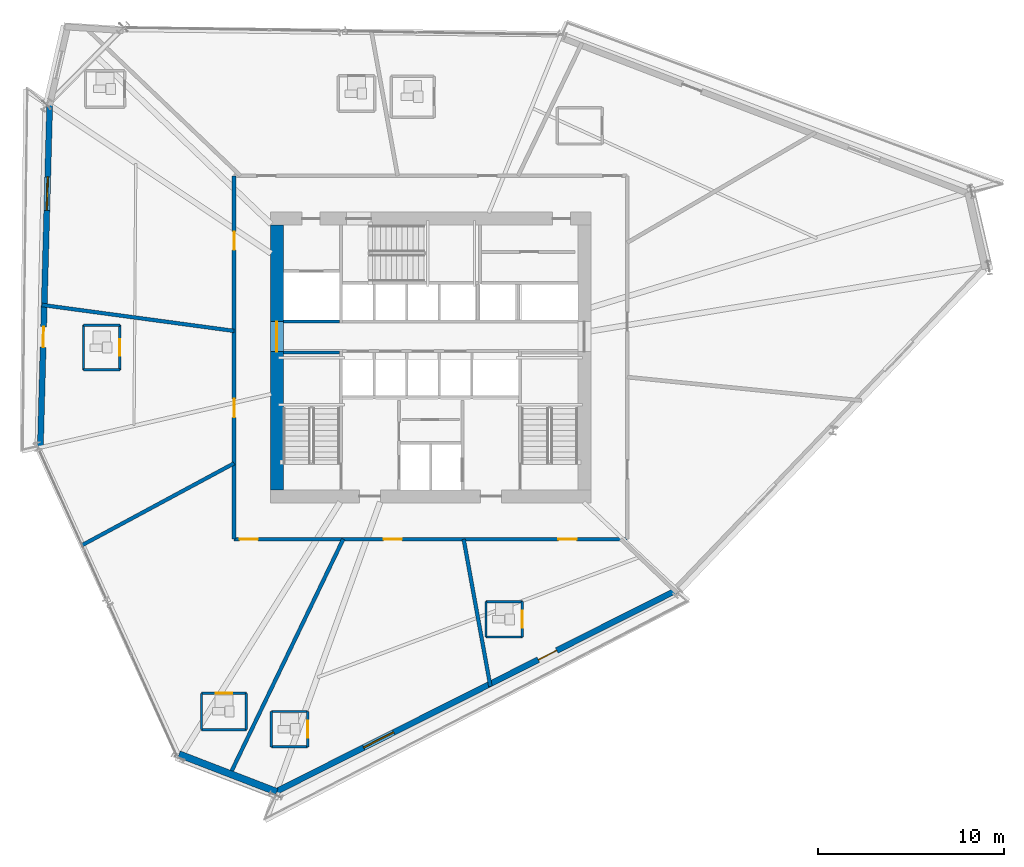
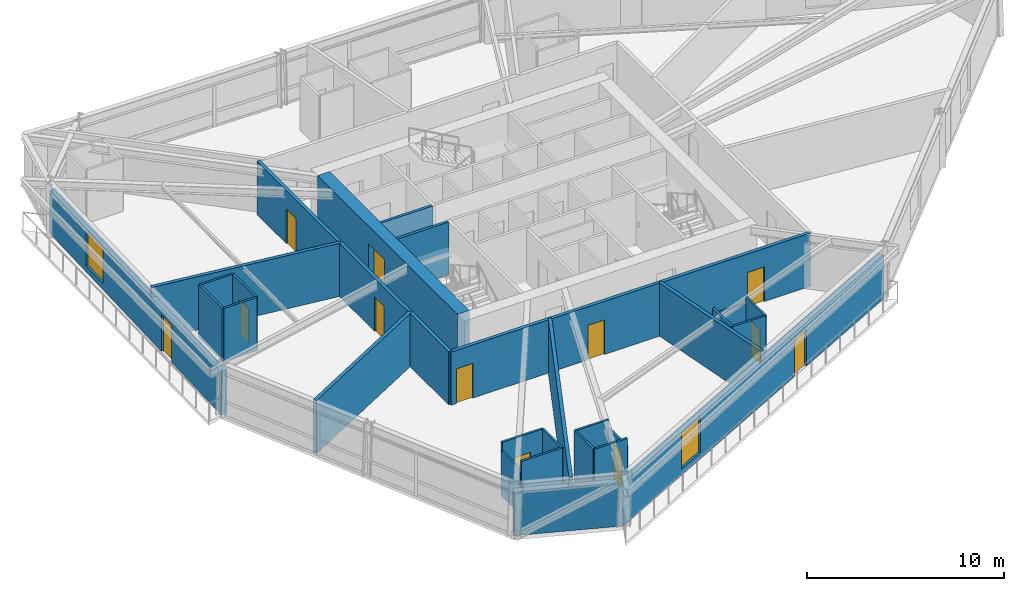
# One storey, part 14 of 22: 28 walls, 12 doors, 2 windows, 14 openings.
"""IFC4 building model written with IfcOpenShell, lengths in metres."""

from ifc_helpers import new_model, si_unit, direction, frame, frame_2d, origin, place, context, subcontext, project, spatial, rectangle, extrude, source, transform, mapped, material, layer, layer_set, type_object, type_shapes, element, fill, save


model = new_model("IFC4")

# Units and contexts
model_context = context("Model", 3, precision=1e-05, world=origin(), true_north=direction((0.0, 1.0)))
body_context = subcontext(model_context, "Body", "Model", "MODEL_VIEW")
ifc_project = project(units=[si_unit("LENGTHUNIT", "METRE"), si_unit("AREAUNIT", "SQUARE_METRE"), si_unit("VOLUMEUNIT", "CUBIC_METRE"), si_unit("PLANEANGLEUNIT", "RADIAN"), si_unit("MASSUNIT", "GRAM", prefix="KILO")], contexts=[model_context])

# Site, building, storey
site_placement = place(None, origin())
site = spatial("IfcSite", under=ifc_project, at=site_placement, CompositionType="ELEMENT")
building_placement = place(site_placement, origin())
building = spatial("IfcBuilding", under=site, at=building_placement, Name="Olszyna Solenne Hotel", CompositionType="ELEMENT")
storey_placement = place(building_placement, frame((0.0, 0.0, 87.949951171875)))
storey = spatial("IfcBuildingStorey", under=building, at=storey_placement, Name="L22", CompositionType="ELEMENT", Elevation=87.949951171875)

# Wall, opening, door
ifc_material_1 = material(Name="Concrete C60/75", Category="concrete")
ifc_layer_1 = layer(ifc_material_1, 0.699951171875, Name="Concrete C60/75")
ifc_layer_set_1 = layer_set([ifc_layer_1], Name="Concrete C60/75")
wall_type_1 = type_object("IfcWallType", Name="WL-CR700", PredefinedType="SHEAR", material=ifc_layer_set_1)
wall_1_placement = place(storey_placement, frame((29.75, 19.5, 0.0), z_axis=(0.0, 0.0, 1.0), x_axis=(0.0, 1.0, 0.0)))
wall_1 = element("IfcWall", 1, at=wall_1_placement, inside=storey, type_object=wall_type_1, Name="Core shear wall WL-CR700 CRW-L22-W", PredefinedType="SHEAR", context=body_context, shape_type="SweptSolid", body=[
    extrude(rectangle(XDim=14.199951171875, YDim=0.699951171875, at=frame_2d((7.10009765625, 0.0))), origin(), (0.0, 0.0, 1.0), 3.300048828125),
])
opening_1_placement = place(wall_1_placement, frame((7.419921875, 0.0, 0.0)))
opening_1 = element("IfcOpeningElement", 2, at=opening_1_placement, cuts=wall_1, Name="Opening LHD-L22-W", PredefinedType="OPENING", context=body_context, shape_type="SweptSolid", body=[
    extrude(rectangle(XDim=1.60009765625, YDim=2.199951171875, at=frame_2d((0.800048828125, 1.10009765625))), frame((0.0, 0.35986328125, 0.0), z_axis=(0.0, -1.0, 0.0), x_axis=(1.0, 0.0, 0.0)), (0.0, 0.0, 1.0), 0.719970703125),
])
ifc_material_2 = material(Name="Timber hardwood", Category="wood")
door_type_1 = type_object("IfcDoorType", Name="DR-CR1", OperationType="DOUBLE_DOOR_SINGLE_SWING", PredefinedType="DOOR", material=ifc_material_2)
shared_shape_1 = source(origin(), body_context, "Body", "SweptSolid", [
    extrude(rectangle(XDim=1.60009765625, YDim=2.199951171875, at=frame_2d((0.800048828125, 1.10009765625))), frame((0.0, 0.02490234375, 0.0), z_axis=(0.0, -1.0, 0.0), x_axis=(1.0, 0.0, 0.0)), (0.0, 0.0, 1.0), 0.050048828125),
])
type_shapes(door_type_1, [shared_shape_1])
door_1_placement = place(opening_1_placement, origin())
door_1 = element("IfcDoor", 3, at=door_1_placement, inside=storey, type_object=door_type_1, Name="Passenger lift lobby West fire door LHD-L22-W", OperationType="DOUBLE_DOOR_SINGLE_SWING", OverallHeight=2.199951171875, OverallWidth=1.60009765625, PredefinedType="DOOR", context=body_context, shape_type="MappedRepresentation", body=[
    mapped(shared_shape_1, transform((0.0, 0.0, 0.0), x_axis=(1.0, 0.0, 0.0), y_axis=(0.0, 1.0, 0.0), z_axis=(0.0, 0.0, 1.0), scale=1.0)),
])
fill(opening_1, door_1)

# Wall, openings, door, window
ifc_material_3 = material(Name="Precast concrete C45/55", Category="concrete")
ifc_layer_2 = layer(ifc_material_3, 0.320068359375, Name="Precast concrete C45/55")
ifc_layer_set_2 = layer_set([ifc_layer_2], Name="Precast concrete C45/55")
wall_type_2 = type_object("IfcWallType", Name="WL-EX320", PredefinedType="SOLIDWALL", material=ifc_layer_set_2)
wall_2_placement = place(storey_placement, frame((51.177490234375, 14.101318359375, 0.0), z_axis=(0.0, 0.0, 1.0), x_axis=(-0.893442427341, -0.449177725436, 0.0)))
wall_2 = element("IfcWall", 4, at=wall_2_placement, inside=storey, type_object=wall_type_2, Name="Exterior terracotta-precast frame wall WL-EX320 EW-L22-01", PredefinedType="SOLIDWALL", context=body_context, shape_type="SweptSolid", body=[
    extrude(rectangle(XDim=24.150634765625, YDim=0.320068359375, at=frame_2d((12.0751953125, 0.0))), origin(), (0.0, 0.0, 1.0), 2.692138671875),
])
opening_2_placement = place(wall_2_placement, frame((7.177978515625, 0.0, 0.0)))
opening_2 = element("IfcOpeningElement", 5, at=opening_2_placement, cuts=wall_2, Name="Opening LDG-L22-3", PredefinedType="OPENING", context=body_context, shape_type="SweptSolid", body=[
    extrude(rectangle(XDim=1.10009765625, YDim=2.300048828125, at=frame_2d((0.550048828125, 1.14990234375))), frame((0.0, 0.169921875, 0.0), z_axis=(0.0, -1.0, 0.0), x_axis=(1.0, 0.0, 0.0)), (0.0, 0.0, 1.0), 0.340087890625),
])
opening_3_placement = place(wall_2_placement, frame((16.970947265625, 0.0, 0.3720703125)))
opening_3 = element("IfcOpeningElement", 6, at=opening_3_placement, cuts=wall_2, Name="Opening WN-L22-115", PredefinedType="OPENING", context=body_context, shape_type="SweptSolid", body=[
    extrude(rectangle(XDim=1.800048828125, YDim=2.199951171875, at=frame_2d((0.89990234375, 1.10009765625))), frame((0.0, 0.169921875, 0.0), z_axis=(0.0, -1.0, 0.0), x_axis=(1.0, 0.0, 0.0)), (0.0, 0.0, 1.0), 0.340087890625),
])
ifc_material_4 = material(Name="Anodised bronze aluminium", Category="aluminium")
door_type_2 = type_object("IfcDoorType", Name="DR-LG1", OperationType="NOTDEFINED", PredefinedType="DOOR", material=ifc_material_4)
shared_shape_2 = source(origin(), body_context, "Body", "SweptSolid", [
    extrude(rectangle(XDim=1.10009765625, YDim=2.300048828125, at=frame_2d((0.550048828125, 1.14990234375))), frame((0.0, 0.02490234375, 0.0), z_axis=(0.0, -1.0, 0.0), x_axis=(1.0, 0.0, 0.0)), (0.0, 0.0, 1.0), 0.050048828125),
])
type_shapes(door_type_2, [shared_shape_2])
door_2_placement = place(opening_2_placement, origin())
door_2 = element("IfcDoor", 7, at=door_2_placement, inside=storey, type_object=door_type_2, Name="Exterior loggia balcony door DR-LG1 LDG-L22-3", OperationType="SINGLE_SWING_RIGHT", OverallHeight=2.300048828125, OverallWidth=1.10009765625, PredefinedType="DOOR", context=body_context, shape_type="MappedRepresentation", body=[
    mapped(shared_shape_2, transform((0.0, 0.0, 0.0), x_axis=(1.0, 0.0, 0.0), y_axis=(0.0, 1.0, 0.0), z_axis=(0.0, 0.0, 1.0), scale=1.0)),
])
fill(opening_2, door_2)
ifc_material_5 = material(Name="Low-E triple glazing", Category="glass")
window_type = type_object("IfcWindowType", Name="WN-HT1", PartitioningType="SINGLE_PANEL", PredefinedType="WINDOW", material=ifc_material_5)
shared_shape_3 = source(origin(), body_context, "Body", "SweptSolid", [
    extrude(rectangle(XDim=1.800048828125, YDim=2.199951171875, at=frame_2d((0.89990234375, 1.10009765625))), frame((0.0, 0.030029296875, 0.0), z_axis=(0.0, -1.0, 0.0), x_axis=(1.0, 0.0, 0.0)), (0.0, 0.0, 1.0), 0.06005859375),
])
type_shapes(window_type, [shared_shape_3])
window_1_placement = place(opening_3_placement, origin())
window_1 = element("IfcWindow", 8, at=window_1_placement, inside=storey, type_object=window_type, Name="Loggia room window WN-HT1 WN-L22-115", OverallHeight=2.199951171875, OverallWidth=1.800048828125, PartitioningType="SINGLE_PANEL", PredefinedType="WINDOW", context=body_context, shape_type="MappedRepresentation", body=[
    mapped(shared_shape_3, transform((0.0, 0.0, 0.0), x_axis=(1.0, 0.0, 0.0), y_axis=(0.0, 1.0, 0.0), z_axis=(0.0, 0.0, 1.0), scale=1.0)),
])
fill(opening_3, window_1)

wall_3_placement = place(storey_placement, frame((17.05859375, 21.83837890625, 0.0), z_axis=(0.0, 0.0, 1.0), x_axis=(0.027149560996, 0.99963138273, 0.0)))
wall_3 = element("IfcWall", 9, at=wall_3_placement, inside=storey, type_object=wall_type_2, Name="Exterior terracotta-precast frame wall WL-EX320 EW-L22-04", PredefinedType="SOLIDWALL", context=body_context, shape_type="SweptSolid", body=[
    extrude(rectangle(XDim=18.32666015625, YDim=0.320068359375, at=frame_2d((9.163330078125, 0.0))), origin(), (0.0, 0.0, 1.0), 2.692138671875),
])
opening_4_placement = place(wall_3_placement, frame((5.31494140625, 0.0, 0.0)))
opening_4 = element("IfcOpeningElement", 10, at=opening_4_placement, cuts=wall_3, Name="Opening LDG-L22-2", PredefinedType="OPENING", context=body_context, shape_type="SweptSolid", body=[
    extrude(rectangle(XDim=1.10009765625, YDim=2.300048828125, at=frame_2d((0.550048828125, 1.14990234375))), frame((0.0, 0.169921875, 0.0), z_axis=(0.0, -1.0, 0.0), x_axis=(1.0, 0.0, 0.0)), (0.0, 0.0, 1.0), 0.340087890625),
])
opening_5_placement = place(wall_3_placement, frame((12.662109375, 0.0, 0.3720703125)))
opening_5 = element("IfcOpeningElement", 11, at=opening_5_placement, cuts=wall_3, Name="Opening WN-L22-116", PredefinedType="OPENING", context=body_context, shape_type="SweptSolid", body=[
    extrude(rectangle(XDim=1.800048828125, YDim=2.199951171875, at=frame_2d((0.89990234375, 1.10009765625))), frame((0.0, 0.169921875, 0.0), z_axis=(0.0, -1.0, 0.0), x_axis=(1.0, 0.0, 0.0)), (0.0, 0.0, 1.0), 0.340087890625),
])
door_3_placement = place(opening_4_placement, origin())
door_3 = element("IfcDoor", 12, at=door_3_placement, inside=storey, type_object=door_type_2, Name="Exterior loggia balcony door DR-LG1 LDG-L22-2", OperationType="SINGLE_SWING_LEFT", OverallHeight=2.300048828125, OverallWidth=1.10009765625, PredefinedType="DOOR", context=body_context, shape_type="MappedRepresentation", body=[
    mapped(shared_shape_2, transform((0.0, 0.0, 0.0), x_axis=(1.0, 0.0, 0.0), y_axis=(0.0, 1.0, 0.0), z_axis=(0.0, 0.0, 1.0), scale=1.0)),
])
fill(opening_4, door_3)
window_2_placement = place(opening_5_placement, origin())
window_2 = element("IfcWindow", 13, at=window_2_placement, inside=storey, type_object=window_type, Name="Loggia room window WN-HT1 WN-L22-116", OverallHeight=2.199951171875, OverallWidth=1.800048828125, PartitioningType="SINGLE_PANEL", PredefinedType="WINDOW", context=body_context, shape_type="MappedRepresentation", body=[
    mapped(shared_shape_3, transform((0.0, 0.0, 0.0), x_axis=(1.0, 0.0, 0.0), y_axis=(0.0, 1.0, 0.0), z_axis=(0.0, 0.0, 1.0), scale=1.0)),
])
fill(opening_5, window_2)

# Wall
ifc_material_6 = material(Name="Terracotta cladding on precast concrete C45/55", Category="masonry")
ifc_layer_3 = layer(ifc_material_6, 0.3798828125, Name="Terracotta cladding on precast concrete C45/55")
ifc_layer_set_3 = layer_set([ifc_layer_3], Name="Terracotta cladding on precast concrete C45/55")
wall_type_3 = type_object("IfcWallType", Name="WL-EX380", PredefinedType="SOLIDWALL", material=ifc_layer_set_3)
wall_4_placement = place(storey_placement, frame((29.740478515625, 3.287841796875, 0.0), z_axis=(0.0, 0.0, 1.0), x_axis=(-0.932954356453, 0.359994678816, 0.0)))
element("IfcWall", 14, at=wall_4_placement, inside=storey, type_object=wall_type_3, Name="Exterior terracotta-precast frame wall WL-EX380 EW-L22-02", PredefinedType="SOLIDWALL", context=body_context, shape_type="SweptSolid", body=[
    extrude(rectangle(XDim=5.620849609375, YDim=0.3798828125, at=frame_2d((2.810546875, 0.0))), origin(), (0.0, 0.0, 1.0), 2.692138671875),
])

# Wall, opening, door
ifc_material_7 = material(Name="Acoustic gypsum partition", Category="gypsum")
ifc_layer_4 = layer(ifc_material_7, 0.125, Name="Acoustic gypsum partition")
ifc_layer_set_4 = layer_set([ifc_layer_4], Name="Acoustic gypsum partition")
wall_type_4 = type_object("IfcWallType", Name="WL-PT125", PredefinedType="PARTITIONING", material=ifc_layer_set_4)
wall_5_placement = place(storey_placement, frame((21.321044921875, 25.93505859375, 0.0), z_axis=(0.0, 0.0, 1.0), x_axis=(0.0, 1.0, 0.0)))
wall_5 = element("IfcWall", 15, at=wall_5_placement, inside=storey, type_object=wall_type_4, Name="Interior acoustic partition WL-PT125 PW-L22-1245", PredefinedType="PARTITIONING", context=body_context, shape_type="SweptSolid", body=[
    extrude(rectangle(XDim=2.39990234375, YDim=0.125, at=frame_2d((1.199951171875, 0.0))), origin(), (0.0, 0.0, 1.0), 3.300048828125),
])
opening_6_placement = place(wall_5_placement, frame((0.75, 0.0, 0.0)))
opening_6 = element("IfcOpeningElement", 16, at=opening_6_placement, cuts=wall_5, Name="Opening DR-L22-0285", PredefinedType="OPENING", context=body_context, shape_type="SweptSolid", body=[
    extrude(rectangle(XDim=0.89990234375, YDim=2.10009765625, at=frame_2d((0.449951171875, 1.050048828125))), frame((0.0, 0.072509765625, 0.0), z_axis=(0.0, -1.0, 0.0), x_axis=(1.0, 0.0, 0.0)), (0.0, 0.0, 1.0), 0.14501953125),
])
door_type_3 = type_object("IfcDoorType", Name="DR-WC1", OperationType="NOTDEFINED", PredefinedType="DOOR", material=ifc_material_2)
shared_shape_4 = source(origin(), body_context, "Body", "SweptSolid", [
    extrude(rectangle(XDim=0.89990234375, YDim=2.10009765625, at=frame_2d((0.449951171875, 1.050048828125))), frame((0.0, 0.02490234375, 0.0), z_axis=(0.0, -1.0, 0.0), x_axis=(1.0, 0.0, 0.0)), (0.0, 0.0, 1.0), 0.050048828125),
])
type_shapes(door_type_3, [shared_shape_4])
door_4_placement = place(opening_6_placement, origin())
door_4 = element("IfcDoor", 17, at=door_4_placement, inside=storey, type_object=door_type_3, Name="En-Suite Bathroom Door DR-L22-0285", OperationType="SINGLE_SWING_LEFT", OverallHeight=2.10009765625, OverallWidth=0.89990234375, PredefinedType="DOOR", context=body_context, shape_type="MappedRepresentation", body=[
    mapped(shared_shape_4, transform((0.0, 0.0, 0.0), x_axis=(1.0, 0.0, 0.0), y_axis=(0.0, 1.0, 0.0), z_axis=(0.0, 0.0, 1.0), scale=1.0)),
])
fill(opening_6, door_4)

# Walls
wall_6_placement = place(storey_placement, frame((21.321044921875, 28.3349609375, 0.0), z_axis=(0.0, 0.0, 1.0), x_axis=(-1.0, 0.0, 0.0)))
element("IfcWall", 18, at=wall_6_placement, inside=storey, type_object=wall_type_4, Name="Interior acoustic partition WL-PT125 PW-L22-1246", PredefinedType="PARTITIONING", context=body_context, shape_type="SweptSolid", body=[
    extrude(rectangle(XDim=1.949951171875, YDim=0.125, at=frame_2d((0.97509765625, 0.0))), origin(), (0.0, 0.0, 1.0), 3.300048828125),
])
wall_7_placement = place(storey_placement, frame((19.37109375, 28.3349609375, 0.0), z_axis=(0.0, 0.0, 1.0), x_axis=(0.0, -1.0, 0.0)))
element("IfcWall", 19, at=wall_7_placement, inside=storey, type_object=wall_type_4, Name="Interior acoustic partition WL-PT125 PW-L22-1247", PredefinedType="PARTITIONING", context=body_context, shape_type="SweptSolid", body=[
    extrude(rectangle(XDim=2.39990234375, YDim=0.125, at=frame_2d((1.199951171875, 0.0))), origin(), (0.0, 0.0, 1.0), 3.300048828125),
])
wall_8_placement = place(storey_placement, frame((19.37109375, 25.93505859375, 0.0), z_axis=(0.0, 0.0, 1.0), x_axis=(1.0, 0.0, 0.0)))
element("IfcWall", 20, at=wall_8_placement, inside=storey, type_object=wall_type_4, Name="Interior acoustic partition WL-PT125 PW-L22-1248", PredefinedType="PARTITIONING", context=body_context, shape_type="SweptSolid", body=[
    extrude(rectangle(XDim=1.949951171875, YDim=0.125, at=frame_2d((0.97509765625, 0.0))), origin(), (0.0, 0.0, 1.0), 3.300048828125),
])
wall_9_placement = place(storey_placement, frame((28.10595703125, 6.6298828125, 0.0), z_axis=(0.0, 0.0, 1.0), x_axis=(0.0, 1.0, 0.0)))
element("IfcWall", 21, at=wall_9_placement, inside=storey, type_object=wall_type_4, Name="Interior acoustic partition WL-PT125 PW-L22-1249", PredefinedType="PARTITIONING", context=body_context, shape_type="SweptSolid", body=[
    extrude(rectangle(XDim=1.9501953125, YDim=0.125, at=frame_2d((0.97509765625, 0.0))), origin(), (0.0, 0.0, 1.0), 3.300048828125),
])

# Wall, opening, door
wall_10_placement = place(storey_placement, frame((28.10595703125, 8.580078125, 0.0), z_axis=(0.0, 0.0, 1.0), x_axis=(-1.0, 0.0, 0.0)))
wall_10 = element("IfcWall", 22, at=wall_10_placement, inside=storey, type_object=wall_type_4, Name="Interior acoustic partition WL-PT125 PW-L22-1250", PredefinedType="PARTITIONING", context=body_context, shape_type="SweptSolid", body=[
    extrude(rectangle(XDim=2.39990234375, YDim=0.125, at=frame_2d((1.199951171875, 0.0))), origin(), (0.0, 0.0, 1.0), 3.300048828125),
])
opening_7_placement = place(wall_10_placement, frame((0.75, 0.0, 0.0)))
opening_7 = element("IfcOpeningElement", 23, at=opening_7_placement, cuts=wall_10, Name="Opening DR-L22-0286", PredefinedType="OPENING", context=body_context, shape_type="SweptSolid", body=[
    extrude(rectangle(XDim=0.89990234375, YDim=2.10009765625, at=frame_2d((0.449951171875, 1.050048828125))), frame((0.0, 0.072509765625, 0.0), z_axis=(0.0, -1.0, 0.0), x_axis=(1.0, 0.0, 0.0)), (0.0, 0.0, 1.0), 0.14501953125),
])
door_5_placement = place(opening_7_placement, origin())
door_5 = element("IfcDoor", 24, at=door_5_placement, inside=storey, type_object=door_type_3, Name="En-Suite Bathroom Door DR-L22-0286", OperationType="SINGLE_SWING_RIGHT", OverallHeight=2.10009765625, OverallWidth=0.89990234375, PredefinedType="DOOR", context=body_context, shape_type="MappedRepresentation", body=[
    mapped(shared_shape_4, transform((0.0, 0.0, 0.0), x_axis=(1.0, 0.0, 0.0), y_axis=(0.0, 1.0, 0.0), z_axis=(0.0, 0.0, 1.0), scale=1.0)),
])
fill(opening_7, door_5)

# Walls
wall_11_placement = place(storey_placement, frame((25.7060546875, 8.580078125, 0.0), z_axis=(0.0, 0.0, 1.0), x_axis=(0.0, -1.0, 0.0)))
element("IfcWall", 25, at=wall_11_placement, inside=storey, type_object=wall_type_4, Name="Interior acoustic partition WL-PT125 PW-L22-1251", PredefinedType="PARTITIONING", context=body_context, shape_type="SweptSolid", body=[
    extrude(rectangle(XDim=1.9501953125, YDim=0.125, at=frame_2d((0.97509765625, 0.0))), origin(), (0.0, 0.0, 1.0), 2.795166015625),
])
wall_12_placement = place(storey_placement, frame((25.7060546875, 6.6298828125, 0.0), z_axis=(0.0, 0.0, 1.0), x_axis=(1.0, 0.0, 0.0)))
element("IfcWall", 26, at=wall_12_placement, inside=storey, type_object=wall_type_4, Name="Interior acoustic partition WL-PT125 PW-L22-1252", PredefinedType="PARTITIONING", context=body_context, shape_type="SweptSolid", body=[
    extrude(rectangle(XDim=2.39990234375, YDim=0.125, at=frame_2d((1.199951171875, 0.0))), origin(), (0.0, 0.0, 1.0), 3.300048828125),
])

# Wall, opening, door
wall_13_placement = place(storey_placement, frame((31.40087890625, 5.7041015625, 0.0), z_axis=(0.0, 0.0, 1.0), x_axis=(0.0, 1.0, 0.0)))
wall_13 = element("IfcWall", 27, at=wall_13_placement, inside=storey, type_object=wall_type_4, Name="Interior acoustic partition WL-PT125 PW-L22-1253", PredefinedType="PARTITIONING", context=body_context, shape_type="SweptSolid", body=[
    extrude(rectangle(XDim=1.89990234375, YDim=0.125, at=frame_2d((0.949951171875, 0.0))), origin(), (0.0, 0.0, 1.0), 2.795166015625),
])
opening_8_placement = place(wall_13_placement, frame((0.5, 0.0, 0.0)))
opening_8 = element("IfcOpeningElement", 28, at=opening_8_placement, cuts=wall_13, Name="Opening DR-L22-0287", PredefinedType="OPENING", context=body_context, shape_type="SweptSolid", body=[
    extrude(rectangle(XDim=0.89990234375, YDim=2.10009765625, at=frame_2d((0.449951171875, 1.050048828125))), frame((0.0, 0.072509765625, 0.0), z_axis=(0.0, -1.0, 0.0), x_axis=(1.0, 0.0, 0.0)), (0.0, 0.0, 1.0), 0.14501953125),
])
door_6_placement = place(opening_8_placement, origin())
door_6 = element("IfcDoor", 29, at=door_6_placement, inside=storey, type_object=door_type_3, Name="En-Suite Bathroom Door DR-L22-0287", OperationType="SINGLE_SWING_LEFT", OverallHeight=2.10009765625, OverallWidth=0.89990234375, PredefinedType="DOOR", context=body_context, shape_type="MappedRepresentation", body=[
    mapped(shared_shape_4, transform((0.0, 0.0, 0.0), x_axis=(1.0, 0.0, 0.0), y_axis=(0.0, 1.0, 0.0), z_axis=(0.0, 0.0, 1.0), scale=1.0)),
])
fill(opening_8, door_6)

# Walls
wall_14_placement = place(storey_placement, frame((31.40087890625, 7.60400390625, 0.0), z_axis=(0.0, 0.0, 1.0), x_axis=(-1.0, 0.0, 0.0)))
element("IfcWall", 30, at=wall_14_placement, inside=storey, type_object=wall_type_4, Name="Interior acoustic partition WL-PT125 PW-L22-1254", PredefinedType="PARTITIONING", context=body_context, shape_type="SweptSolid", body=[
    extrude(rectangle(XDim=1.949951171875, YDim=0.125, at=frame_2d((0.97509765625, 0.0))), origin(), (0.0, 0.0, 1.0), 3.300048828125),
])
wall_15_placement = place(storey_placement, frame((29.450927734375, 7.60400390625, 0.0), z_axis=(0.0, 0.0, 1.0), x_axis=(0.0, -1.0, 0.0)))
element("IfcWall", 31, at=wall_15_placement, inside=storey, type_object=wall_type_4, Name="Interior acoustic partition WL-PT125 PW-L22-1255", PredefinedType="PARTITIONING", context=body_context, shape_type="SweptSolid", body=[
    extrude(rectangle(XDim=1.89990234375, YDim=0.125, at=frame_2d((0.949951171875, 0.0))), origin(), (0.0, 0.0, 1.0), 3.300048828125),
])
wall_16_placement = place(storey_placement, frame((29.450927734375, 5.7041015625, 0.0), z_axis=(0.0, 0.0, 1.0), x_axis=(1.0, 0.0, 0.0)))
element("IfcWall", 32, at=wall_16_placement, inside=storey, type_object=wall_type_4, Name="Interior acoustic partition WL-PT125 PW-L22-1256", PredefinedType="PARTITIONING", context=body_context, shape_type="SweptSolid", body=[
    extrude(rectangle(XDim=1.949951171875, YDim=0.125, at=frame_2d((0.97509765625, 0.0))), origin(), (0.0, 0.0, 1.0), 3.300048828125),
])

# Wall, opening, door
wall_17_placement = place(storey_placement, frame((42.9189453125, 11.597900390625, 0.0), z_axis=(0.0, 0.0, 1.0), x_axis=(0.0, 1.0, 0.0)))
wall_17 = element("IfcWall", 33, at=wall_17_placement, inside=storey, type_object=wall_type_4, Name="Interior acoustic partition WL-PT125 PW-L22-1257", PredefinedType="PARTITIONING", context=body_context, shape_type="SweptSolid", body=[
    extrude(rectangle(XDim=1.900146484375, YDim=0.125, at=frame_2d((0.9501953125, 0.0))), origin(), (0.0, 0.0, 1.0), 3.300048828125),
])
opening_9_placement = place(wall_17_placement, frame((0.5, 0.0, 0.0)))
opening_9 = element("IfcOpeningElement", 34, at=opening_9_placement, cuts=wall_17, Name="Opening DR-L22-0288", PredefinedType="OPENING", context=body_context, shape_type="SweptSolid", body=[
    extrude(rectangle(XDim=0.89990234375, YDim=2.10009765625, at=frame_2d((0.449951171875, 1.050048828125))), frame((0.0, 0.072509765625, 0.0), z_axis=(0.0, -1.0, 0.0), x_axis=(1.0, 0.0, 0.0)), (0.0, 0.0, 1.0), 0.14501953125),
])
door_7_placement = place(opening_9_placement, origin())
door_7 = element("IfcDoor", 35, at=door_7_placement, inside=storey, type_object=door_type_3, Name="En-Suite Bathroom Door DR-L22-0288", OperationType="SINGLE_SWING_LEFT", OverallHeight=2.10009765625, OverallWidth=0.89990234375, PredefinedType="DOOR", context=body_context, shape_type="MappedRepresentation", body=[
    mapped(shared_shape_4, transform((0.0, 0.0, 0.0), x_axis=(1.0, 0.0, 0.0), y_axis=(0.0, 1.0, 0.0), z_axis=(0.0, 0.0, 1.0), scale=1.0)),
])
fill(opening_9, door_7)

# Walls
wall_18_placement = place(storey_placement, frame((42.9189453125, 13.498046875, 0.0), z_axis=(0.0, 0.0, 1.0), x_axis=(-1.0, 0.0, 0.0)))
element("IfcWall", 36, at=wall_18_placement, inside=storey, type_object=wall_type_4, Name="Interior acoustic partition WL-PT125 PW-L22-1258", PredefinedType="PARTITIONING", context=body_context, shape_type="SweptSolid", body=[
    extrude(rectangle(XDim=1.949951171875, YDim=0.125, at=frame_2d((0.97509765625, 0.0))), origin(), (0.0, 0.0, 1.0), 2.925048828125),
])
wall_19_placement = place(storey_placement, frame((40.968994140625, 13.498046875, 0.0), z_axis=(0.0, 0.0, 1.0), x_axis=(0.0, -1.0, 0.0)))
element("IfcWall", 37, at=wall_19_placement, inside=storey, type_object=wall_type_4, Name="Interior acoustic partition WL-PT125 PW-L22-1259", PredefinedType="PARTITIONING", context=body_context, shape_type="SweptSolid", body=[
    extrude(rectangle(XDim=1.900146484375, YDim=0.125, at=frame_2d((0.9501953125, 0.0))), origin(), (0.0, 0.0, 1.0), 3.300048828125),
])
wall_20_placement = place(storey_placement, frame((40.968994140625, 11.597900390625, 0.0), z_axis=(0.0, 0.0, 1.0), x_axis=(1.0, 0.0, 0.0)))
element("IfcWall", 38, at=wall_20_placement, inside=storey, type_object=wall_type_4, Name="Interior acoustic partition WL-PT125 PW-L22-1260", PredefinedType="PARTITIONING", context=body_context, shape_type="SweptSolid", body=[
    extrude(rectangle(XDim=1.949951171875, YDim=0.125, at=frame_2d((0.97509765625, 0.0))), origin(), (0.0, 0.0, 1.0), 3.300048828125),
])
ifc_layer_5 = layer(ifc_material_7, 0.159912109375, Name="Acoustic gypsum partition")
ifc_layer_set_5 = layer_set([ifc_layer_5], Name="Acoustic gypsum partition")
wall_type_5 = type_object("IfcWallType", Name="WL-PT160", PredefinedType="PARTITIONING", material=ifc_layer_set_5)
for number, where, z_axis, x_axis, name in (
    (39, (30.10009765625, 26.8798828125, 0.0), (0.0, 0.0, 1.0), (1.0, 0.0, 0.0), "Core shaft compartment wall CW-L22-ST1N"),
    (40, (30.10009765625, 28.52001953125, 0.0), (0.0, 0.0, 1.0), (1.0, 0.0, 0.0), "Core shaft compartment wall CW-L22-SV1S"),
):
    element("IfcWall", number, at=place(storey_placement, frame(where, z_axis=z_axis, x_axis=x_axis)), inside=storey, type_object=wall_type_5, Name=name, PredefinedType="PARTITIONING", context=body_context, shape_type="SweptSolid", body=[
        extrude(rectangle(XDim=3.02001953125, YDim=0.159912109375, at=frame_2d((1.510009765625, 0.0))), origin(), (0.0, 0.0, 1.0), 3.300048828125),
    ])
ifc_layer_6 = layer(ifc_material_7, 0.199951171875, Name="Acoustic gypsum partition")
ifc_layer_set_6 = layer_set([ifc_layer_6], Name="Acoustic gypsum partition")
wall_type_6 = type_object("IfcWallType", Name="WL-PT200", PredefinedType="PARTITIONING", material=ifc_layer_set_6)
wall_21_placement = place(storey_placement, frame((27.449951171875, 28.0263671875, 0.0), z_axis=(0.0, 0.0, 1.0), x_axis=(-0.990982248405, 0.133993221271, 0.0)))
element("IfcWall", 41, at=wall_21_placement, inside=storey, type_object=wall_type_6, Name="Interior acoustic partition WL-PT200 PW-L22-1226", PredefinedType="PARTITIONING", context=body_context, shape_type="SweptSolid", body=[
    extrude(rectangle(XDim=10.4091796875, YDim=0.199951171875, at=frame_2d((5.20458984375, 0.0))), origin(), (0.0, 0.0, 1.0), 3.300048828125),
])
wall_22_placement = place(storey_placement, frame((27.449951171875, 20.91943359375, 0.0), z_axis=(0.0, 0.0, 1.0), x_axis=(-0.880473647021, -0.474095092678, 0.0)))
element("IfcWall", 42, at=wall_22_placement, inside=storey, type_object=wall_type_6, Name="Interior acoustic partition WL-PT200 PW-L22-1227", PredefinedType="PARTITIONING", context=body_context, shape_type="SweptSolid", body=[
    extrude(rectangle(XDim=9.233154296875, YDim=0.199951171875, at=frame_2d((4.61669921875, 0.0))), origin(), (0.0, 0.0, 1.0), 3.300048828125),
])
wall_23_placement = place(storey_placement, frame((33.3076171875, 16.85009765625, 0.0), z_axis=(0.0, 0.0, 1.0), x_axis=(-0.433656268432, -0.901078376641, 0.0)))
element("IfcWall", 43, at=wall_23_placement, inside=storey, type_object=wall_type_6, Name="Interior acoustic partition WL-PT200 PW-L22-1228", PredefinedType="PARTITIONING", context=body_context, shape_type="SweptSolid", body=[
    extrude(rectangle(XDim=14.142578125, YDim=0.199951171875, at=frame_2d((7.0712890625, 0.0))), origin(), (0.0, 0.0, 1.0), 3.300048828125),
])
wall_24_placement = place(storey_placement, frame((39.77197265625, 16.85009765625, 0.0), z_axis=(0.0, 0.0, 1.0), x_axis=(0.178773141737, -0.983890321018, 0.0)))
element("IfcWall", 44, at=wall_24_placement, inside=storey, type_object=wall_type_6, Name="Interior acoustic partition WL-PT200 PW-L22-1229", PredefinedType="PARTITIONING", context=body_context, shape_type="SweptSolid", body=[
    extrude(rectangle(XDim=8.035400390625, YDim=0.199951171875, at=frame_2d((4.017578125, 0.0))), origin(), (0.0, 0.0, 1.0), 3.300048828125),
])

# Wall, openings, doors
wall_25_placement = place(storey_placement, frame((27.449951171875, 16.85009765625, 0.0), z_axis=(0.0, 0.0, 1.0), x_axis=(1.0, 0.0, 0.0)))
wall_25 = element("IfcWall", 45, at=wall_25_placement, inside=storey, type_object=wall_type_6, Name="Interior acoustic partition WL-PT200 PW-L22-1265", PredefinedType="PARTITIONING", context=body_context, shape_type="SweptSolid", body=[
    extrude(rectangle(XDim=21.10009765625, YDim=0.199951171875, at=frame_2d((10.550048828125, 0.0))), origin(), (0.0, 0.0, 1.0), 3.300048828125),
])
opening_10_placement = place(wall_25_placement, frame((0.300048828125, 0.0, 0.0)))
opening_10 = element("IfcOpeningElement", 46, at=opening_10_placement, cuts=wall_25, Name="Opening DR-L22-0290", PredefinedType="OPENING", context=body_context, shape_type="SweptSolid", body=[
    extrude(rectangle(XDim=0.97998046875, YDim=2.14990234375, at=frame_2d((0.489990234375, 1.074951171875))), frame((0.0, 0.10986328125, 0.0), z_axis=(0.0, -1.0, 0.0), x_axis=(1.0, 0.0, 0.0)), (0.0, 0.0, 1.0), 0.219970703125),
])
opening_11_placement = place(wall_25_placement, frame((8.02392578125, 0.0, 0.0)))
opening_11 = element("IfcOpeningElement", 47, at=opening_11_placement, cuts=wall_25, Name="Opening DR-L22-0291", PredefinedType="OPENING", context=body_context, shape_type="SweptSolid", body=[
    extrude(rectangle(XDim=0.97998046875, YDim=2.14990234375, at=frame_2d((0.489990234375, 1.074951171875))), frame((0.0, 0.10986328125, 0.0), z_axis=(0.0, -1.0, 0.0), x_axis=(1.0, 0.0, 0.0)), (0.0, 0.0, 1.0), 0.219970703125),
])
opening_12_placement = place(wall_25_placement, frame((17.403076171875, 0.0, 0.0)))
opening_12 = element("IfcOpeningElement", 48, at=opening_12_placement, cuts=wall_25, Name="Opening DR-L22-0292", PredefinedType="OPENING", context=body_context, shape_type="SweptSolid", body=[
    extrude(rectangle(XDim=0.97998046875, YDim=2.14990234375, at=frame_2d((0.489990234375, 1.074951171875))), frame((0.0, 0.10986328125, 0.0), z_axis=(0.0, -1.0, 0.0), x_axis=(1.0, 0.0, 0.0)), (0.0, 0.0, 1.0), 0.219970703125),
])
door_type_4 = type_object("IfcDoorType", Name="DR-RM1", OperationType="NOTDEFINED", PredefinedType="DOOR", material=ifc_material_2)
shared_shape_5 = source(origin(), body_context, "Body", "SweptSolid", [
    extrude(rectangle(XDim=0.97998046875, YDim=2.14990234375, at=frame_2d((0.489990234375, 1.074951171875))), frame((0.0, 0.02490234375, 0.0), z_axis=(0.0, -1.0, 0.0), x_axis=(1.0, 0.0, 0.0)), (0.0, 0.0, 1.0), 0.050048828125),
])
type_shapes(door_type_4, [shared_shape_5])
door_8_placement = place(opening_10_placement, origin())
door_8 = element("IfcDoor", 49, at=door_8_placement, inside=storey, type_object=door_type_4, Name="Deluxe Hotel Guestroom Entrance Door DR-L22-0290", OperationType="SINGLE_SWING_LEFT", OverallHeight=2.14990234375, OverallWidth=0.97998046875, PredefinedType="DOOR", context=body_context, shape_type="MappedRepresentation", body=[
    mapped(shared_shape_5, transform((0.0, 0.0, 0.0), x_axis=(1.0, 0.0, 0.0), y_axis=(0.0, 1.0, 0.0), z_axis=(0.0, 0.0, 1.0), scale=1.0)),
])
fill(opening_10, door_8)
door_9_placement = place(opening_11_placement, origin())
door_9 = element("IfcDoor", 50, at=door_9_placement, inside=storey, type_object=door_type_4, Name="Deluxe Hotel Guestroom Entrance Door DR-L22-0291", OperationType="SINGLE_SWING_RIGHT", OverallHeight=2.14990234375, OverallWidth=0.97998046875, PredefinedType="DOOR", context=body_context, shape_type="MappedRepresentation", body=[
    mapped(shared_shape_5, transform((0.0, 0.0, 0.0), x_axis=(1.0, 0.0, 0.0), y_axis=(0.0, 1.0, 0.0), z_axis=(0.0, 0.0, 1.0), scale=1.0)),
])
fill(opening_11, door_9)
door_10_placement = place(opening_12_placement, origin())
door_10 = element("IfcDoor", 51, at=door_10_placement, inside=storey, type_object=door_type_4, Name="Deluxe Hotel Guestroom Entrance Door DR-L22-0292", OperationType="SINGLE_SWING_LEFT", OverallHeight=2.14990234375, OverallWidth=0.97998046875, PredefinedType="DOOR", context=body_context, shape_type="MappedRepresentation", body=[
    mapped(shared_shape_5, transform((0.0, 0.0, 0.0), x_axis=(1.0, 0.0, 0.0), y_axis=(0.0, 1.0, 0.0), z_axis=(0.0, 0.0, 1.0), scale=1.0)),
])
fill(opening_12, door_10)

wall_26_placement = place(storey_placement, frame((27.449951171875, 16.85009765625, 0.0), z_axis=(0.0, 0.0, 1.0), x_axis=(0.0, 1.0, 0.0)))
wall_26 = element("IfcWall", 52, at=wall_26_placement, inside=storey, type_object=wall_type_6, Name="Interior acoustic partition WL-PT200 PW-L22-1266", PredefinedType="PARTITIONING", context=body_context, shape_type="SweptSolid", body=[
    extrude(rectangle(XDim=19.5, YDim=0.199951171875, at=frame_2d((9.75, 0.0))), origin(), (0.0, 0.0, 1.0), 3.300048828125),
])
opening_13_placement = place(wall_26_placement, frame((15.52490234375, 0.0, 0.0)))
opening_13 = element("IfcOpeningElement", 53, at=opening_13_placement, cuts=wall_26, Name="Opening DR-L22-0293", PredefinedType="OPENING", context=body_context, shape_type="SweptSolid", body=[
    extrude(rectangle(XDim=0.97998046875, YDim=2.14990234375, at=frame_2d((0.489990234375, 1.074951171875))), frame((0.0, 0.10986328125, 0.0), z_axis=(0.0, -1.0, 0.0), x_axis=(1.0, 0.0, 0.0)), (0.0, 0.0, 1.0), 0.219970703125),
])
opening_14_placement = place(wall_26_placement, frame((6.54296875, 0.0, 0.0)))
opening_14 = element("IfcOpeningElement", 54, at=opening_14_placement, cuts=wall_26, Name="Opening DR-L22-0294", PredefinedType="OPENING", context=body_context, shape_type="SweptSolid", body=[
    extrude(rectangle(XDim=0.97998046875, YDim=2.14990234375, at=frame_2d((0.489990234375, 1.074951171875))), frame((0.0, 0.10986328125, 0.0), z_axis=(0.0, -1.0, 0.0), x_axis=(1.0, 0.0, 0.0)), (0.0, 0.0, 1.0), 0.219970703125),
])
door_11_placement = place(opening_13_placement, origin())
door_11 = element("IfcDoor", 55, at=door_11_placement, inside=storey, type_object=door_type_4, Name="Deluxe Hotel Guestroom Entrance Door DR-L22-0293", OperationType="SINGLE_SWING_LEFT", OverallHeight=2.14990234375, OverallWidth=0.97998046875, PredefinedType="DOOR", context=body_context, shape_type="MappedRepresentation", body=[
    mapped(shared_shape_5, transform((0.0, 0.0, 0.0), x_axis=(1.0, 0.0, 0.0), y_axis=(0.0, 1.0, 0.0), z_axis=(0.0, 0.0, 1.0), scale=1.0)),
])
fill(opening_13, door_11)
door_12_placement = place(opening_14_placement, origin())
door_12 = element("IfcDoor", 56, at=door_12_placement, inside=storey, type_object=door_type_4, Name="Deluxe Hotel Guestroom Entrance Door DR-L22-0294", OperationType="SINGLE_SWING_RIGHT", OverallHeight=2.14990234375, OverallWidth=0.97998046875, PredefinedType="DOOR", context=body_context, shape_type="MappedRepresentation", body=[
    mapped(shared_shape_5, transform((0.0, 0.0, 0.0), x_axis=(1.0, 0.0, 0.0), y_axis=(0.0, 1.0, 0.0), z_axis=(0.0, 0.0, 1.0), scale=1.0)),
])
fill(opening_14, door_12)

save(model, "model.ifc")
